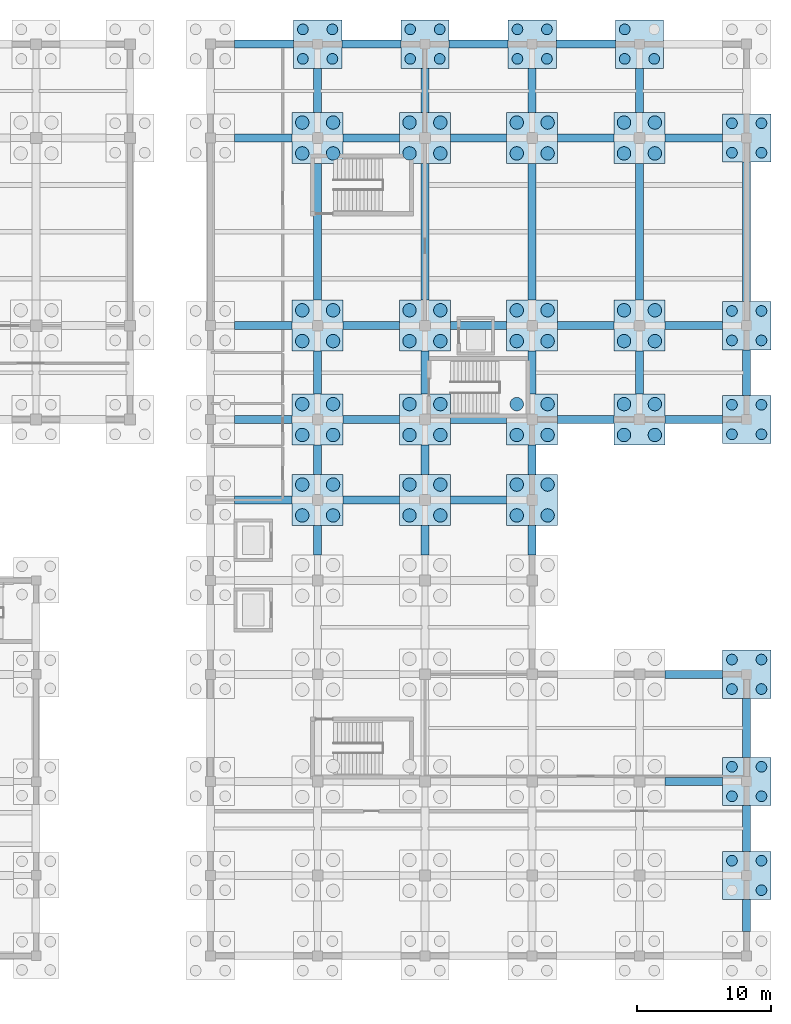
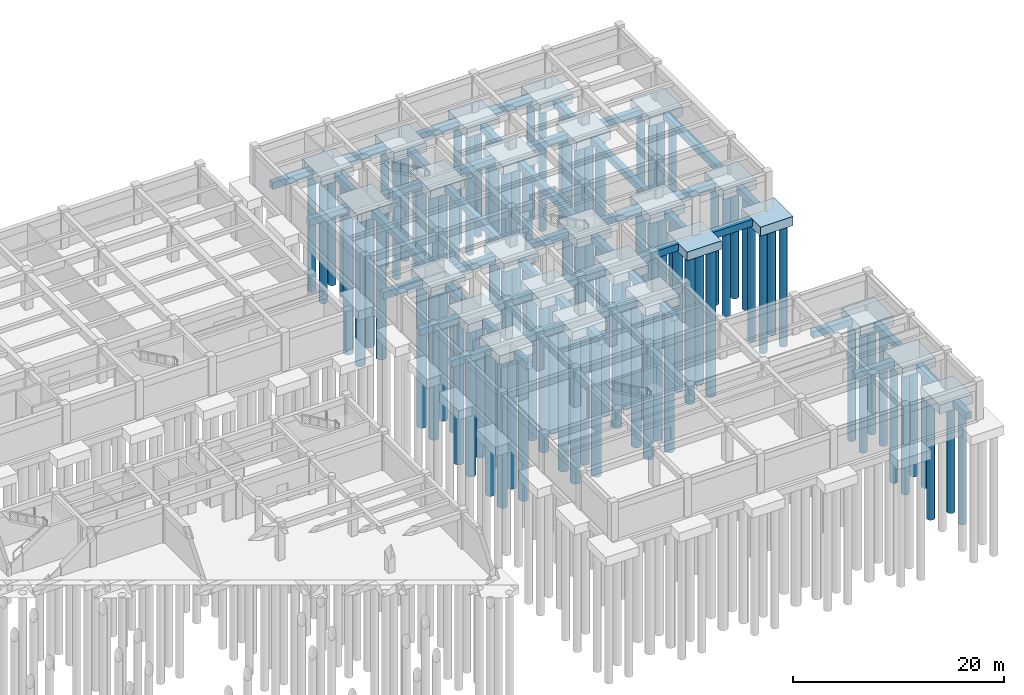
# One storey, part 7 of 28: 98 piles, 72 footings.
"""IFC4 building model written with IfcOpenShell, lengths in metres."""

from ifc_helpers import new_model, si_unit, direction, frame, origin, origin_2d, place, context, subcontext, project, spatial, rectangle, circle, extrude, material, material_profile, profile_set, type_object, element, save


model = new_model("IFC4")

# Units and contexts
model_context = context("Model", 3, precision=1e-05, world=origin(), true_north=direction((0.0, 1.0)))
body_context = subcontext(model_context, "Body", "Model", "MODEL_VIEW")
ifc_project = project(units=[si_unit("LENGTHUNIT", "METRE"), si_unit("AREAUNIT", "SQUARE_METRE"), si_unit("VOLUMEUNIT", "CUBIC_METRE"), si_unit("PLANEANGLEUNIT", "RADIAN"), si_unit("MASSUNIT", "GRAM", prefix="KILO")], contexts=[model_context])

# Site, building, storey
site_placement = place(None, origin())
site = spatial("IfcSite", under=ifc_project, at=site_placement, CompositionType="ELEMENT")
building_placement = place(site_placement, origin())
building = spatial("IfcBuilding", under=site, at=building_placement, Name="Naurynzar Civic Courthouse", CompositionType="ELEMENT")
storey_placement = place(building_placement, frame((0.0, 0.0, -4.5)))
storey = spatial("IfcBuildingStorey", under=building, at=storey_placement, Name="B01", CompositionType="ELEMENT", Elevation=-4.5)

# Footings
ifc_material_1 = material(Name="Concrete C35/45", Category="concrete")
footing_type_1 = type_object("IfcFootingType", Name="CAP-4B-3800", PredefinedType="PILE_CAP", material=ifc_material_1)
for number, where, z_axis, x_axis, name in (
    (1, (138.0, 38.0, -1.449951171875), (0.0, 0.0, 1.0), (1.0, 0.0, 0.0), "V5 pile cap 16"),
    (2, (138.0, 44.0, -1.449951171875), (0.0, 0.0, 1.0), (1.0, 0.0, 0.0), "V5 pile cap 17"),
    (3, (138.0, 51.0, -1.449951171875), (0.0, 0.0, 1.0), (1.0, 0.0, 0.0), "V5 pile cap 18"),
    (4, (138.0, 65.0, -1.449951171875), (0.0, 0.0, 1.0), (1.0, 0.0, 0.0), "V5 pile cap 19"),
    (5, (146.0, 38.0, -1.449951171875), (0.0, 0.0, 1.0), (1.0, 0.0, 0.0), "V5 pile cap 26"),
    (6, (146.0, 44.0, -1.449951171875), (0.0, 0.0, 1.0), (1.0, 0.0, 0.0), "V5 pile cap 27"),
    (7, (146.0, 51.0, -1.449951171875), (0.0, 0.0, 1.0), (1.0, 0.0, 0.0), "V5 pile cap 28"),
    (8, (146.0, 65.0, -1.449951171875), (0.0, 0.0, 1.0), (1.0, 0.0, 0.0), "V5 pile cap 29"),
    (9, (154.0, 38.0, -1.449951171875), (0.0, 0.0, 1.0), (1.0, 0.0, 0.0), "V5 pile cap 36"),
    (10, (154.0, 44.0, -1.449951171875), (0.0, 0.0, 1.0), (1.0, 0.0, 0.0), "V5 pile cap 37"),
    (11, (154.0, 51.0, -1.449951171875), (0.0, 0.0, 1.0), (1.0, 0.0, 0.0), "V5 pile cap 38"),
    (12, (154.0, 65.0, -1.449951171875), (0.0, 0.0, 1.0), (1.0, 0.0, 0.0), "V5 pile cap 39"),
    (13, (162.0, 44.0, -1.449951171875), (0.0, 0.0, 1.0), (1.0, 0.0, 0.0), "V5 pile cap 45"),
    (14, (162.0, 51.0, -1.449951171875), (0.0, 0.0, 1.0), (1.0, 0.0, 0.0), "V5 pile cap 46"),
    (15, (162.0, 65.0, -1.449951171875), (0.0, 0.0, 1.0), (1.0, 0.0, 0.0), "V5 pile cap 47"),
):
    element("IfcFooting", number, at=place(storey_placement, frame(where, z_axis=z_axis, x_axis=x_axis)), inside=storey, type_object=footing_type_1, Name=name, PredefinedType="PILE_CAP", context=body_context, shape_type="SweptSolid", body=[
        extrude(rectangle(XDim=3.800048828125, YDim=3.800048828125, at=origin_2d()), origin(), (0.0, 0.0, 1.0), 1.0),
    ])
ifc_material_2 = material(Name="Concrete C35/45", Category="concrete")
footing_type_2 = type_object("IfcFootingType", Name="CAP-4C-3600", PredefinedType="PILE_CAP", material=ifc_material_2)
for number, where, z_axis, x_axis, name in (
    (16, (138.0, 72.0, -1.5), (0.0, 0.0, 1.0), (1.0, 0.0, 0.0), "V5 pile cap 20"),
    (17, (146.0, 72.0, -1.5), (0.0, 0.0, 1.0), (1.0, 0.0, 0.0), "V5 pile cap 30"),
    (18, (154.0, 72.0, -1.5), (0.0, 0.0, 1.0), (1.0, 0.0, 0.0), "V5 pile cap 40"),
    (19, (162.0, 72.0, -1.5), (0.0, 0.0, 1.0), (1.0, 0.0, 0.0), "V5 pile cap 48"),
    (20, (170.0, 10.0, -1.5), (0.0, 0.0, 1.0), (1.0, 0.0, 0.0), "V5 pile cap 50"),
    (21, (170.0, 17.0, -1.5), (0.0, 0.0, 1.0), (1.0, 0.0, 0.0), "V5 pile cap 51"),
    (22, (170.0, 25.0, -1.5), (0.0, 0.0, 1.0), (1.0, 0.0, 0.0), "V5 pile cap 52"),
    (23, (170.0, 44.0, -1.5), (0.0, 0.0, 1.0), (1.0, 0.0, 0.0), "V5 pile cap 53"),
    (24, (170.0, 51.0, -1.5), (0.0, 0.0, 1.0), (1.0, 0.0, 0.0), "V5 pile cap 54"),
    (25, (170.0, 65.0, -1.5), (0.0, 0.0, 1.0), (1.0, 0.0, 0.0), "V5 pile cap 55"),
):
    element("IfcFooting", number, at=place(storey_placement, frame(where, z_axis=z_axis, x_axis=x_axis)), inside=storey, type_object=footing_type_2, Name=name, PredefinedType="PILE_CAP", context=body_context, shape_type="SweptSolid", body=[
        extrude(rectangle(XDim=3.60009765625, YDim=3.60009765625, at=origin_2d()), origin(), (0.0, 0.0, 1.0), 1.050048828125),
    ])
ifc_material_3 = material(Name="Concrete C35/45", Category="concrete")
ifc_material_profile_1 = material_profile(ifc_material_3, rectangle(XDim=0.60009765625, YDim=0.800048828125, at=origin_2d()), Name="GB 600x800")
ifc_profile_set_1 = profile_set([ifc_material_profile_1], Name="Concrete C35/45")
footing_type_3 = type_object("IfcFootingType", Name="GB-600x800", PredefinedType="FOOTING_BEAM", material=ifc_profile_set_1)
for number, where, z_axis, x_axis, name in (
    (26, (163.89990234375, 17.0, -0.85009765625), (1.0, 0.0, 0.0), (0.0, 1.0, 0.0), "V5 ground tie beam X-15"),
    (27, (163.89990234375, 25.0, -0.85009765625), (1.0, 0.0, 0.0), (0.0, 1.0, 0.0), "V5 ground tie beam X-20"),
    (28, (131.800048828125, 38.0, -0.85009765625), (1.0, 0.0, 0.0), (0.0, 1.0, 0.0), "V5 ground tie beam X-24"),
):
    element("IfcFooting", number, at=place(storey_placement, frame(where, z_axis=z_axis, x_axis=x_axis)), inside=storey, type_object=footing_type_3, Name=name, PredefinedType="FOOTING_BEAM", context=body_context, shape_type="SweptSolid", body=[
        extrude(rectangle(XDim=0.60009765625, YDim=0.800048828125, at=origin_2d()), origin(), (0.0, 0.0, 1.0), 4.300048828125),
    ])
for number, where, z_axis, x_axis, name in (
    (29, (139.89990234375, 38.0, -0.85009765625), (1.0, 0.0, 0.0), (0.0, 1.0, 0.0), "V5 ground tie beam X-25"),
    (30, (147.89990234375, 38.0, -0.85009765625), (1.0, 0.0, 0.0), (0.0, 1.0, 0.0), "V5 ground tie beam X-26"),
):
    element("IfcFooting", number, at=place(storey_placement, frame(where, z_axis=z_axis, x_axis=x_axis)), inside=storey, type_object=footing_type_3, Name=name, PredefinedType="FOOTING_BEAM", context=body_context, shape_type="SweptSolid", body=[
        extrude(rectangle(XDim=0.60009765625, YDim=0.800048828125, at=origin_2d()), origin(), (0.0, 0.0, 1.0), 4.2001953125),
    ])
footing_1_placement = place(storey_placement, frame((131.800048828125, 44.0, -0.85009765625), z_axis=(1.0, 0.0, 0.0), x_axis=(0.0, 1.0, 0.0)))
element("IfcFooting", 31, at=footing_1_placement, inside=storey, type_object=footing_type_3, Name="V5 ground tie beam X-27", PredefinedType="FOOTING_BEAM", context=body_context, shape_type="SweptSolid", body=[
    extrude(rectangle(XDim=0.60009765625, YDim=0.800048828125, at=origin_2d()), origin(), (0.0, 0.0, 1.0), 4.300048828125),
])
for number, where, z_axis, x_axis, name in (
    (32, (139.89990234375, 44.0, -0.85009765625), (1.0, 0.0, 0.0), (0.0, 1.0, 0.0), "V5 ground tie beam X-28"),
    (33, (147.89990234375, 44.0, -0.85009765625), (1.0, 0.0, 0.0), (0.0, 1.0, 0.0), "V5 ground tie beam X-29"),
    (34, (155.89990234375, 44.0, -0.85009765625), (1.0, 0.0, 0.0), (0.0, 1.0, 0.0), "V5 ground tie beam X-30"),
):
    element("IfcFooting", number, at=place(storey_placement, frame(where, z_axis=z_axis, x_axis=x_axis)), inside=storey, type_object=footing_type_3, Name=name, PredefinedType="FOOTING_BEAM", context=body_context, shape_type="SweptSolid", body=[
        extrude(rectangle(XDim=0.60009765625, YDim=0.800048828125, at=origin_2d()), origin(), (0.0, 0.0, 1.0), 4.2001953125),
    ])
for number, where, z_axis, x_axis, name in (
    (35, (163.89990234375, 44.0, -0.85009765625), (1.0, 0.0, 0.0), (0.0, 1.0, 0.0), "V5 ground tie beam X-31"),
    (36, (131.800048828125, 51.0, -0.85009765625), (1.0, 0.0, 0.0), (0.0, 1.0, 0.0), "V5 ground tie beam X-32"),
):
    element("IfcFooting", number, at=place(storey_placement, frame(where, z_axis=z_axis, x_axis=x_axis)), inside=storey, type_object=footing_type_3, Name=name, PredefinedType="FOOTING_BEAM", context=body_context, shape_type="SweptSolid", body=[
        extrude(rectangle(XDim=0.60009765625, YDim=0.800048828125, at=origin_2d()), origin(), (0.0, 0.0, 1.0), 4.300048828125),
    ])
for number, where, z_axis, x_axis, name in (
    (37, (139.89990234375, 51.0, -0.85009765625), (1.0, 0.0, 0.0), (0.0, 1.0, 0.0), "V5 ground tie beam X-33"),
    (38, (147.89990234375, 51.0, -0.85009765625), (1.0, 0.0, 0.0), (0.0, 1.0, 0.0), "V5 ground tie beam X-34"),
    (39, (155.89990234375, 51.0, -0.85009765625), (1.0, 0.0, 0.0), (0.0, 1.0, 0.0), "V5 ground tie beam X-35"),
):
    element("IfcFooting", number, at=place(storey_placement, frame(where, z_axis=z_axis, x_axis=x_axis)), inside=storey, type_object=footing_type_3, Name=name, PredefinedType="FOOTING_BEAM", context=body_context, shape_type="SweptSolid", body=[
        extrude(rectangle(XDim=0.60009765625, YDim=0.800048828125, at=origin_2d()), origin(), (0.0, 0.0, 1.0), 4.2001953125),
    ])
for number, where, z_axis, x_axis, name in (
    (40, (163.89990234375, 51.0, -0.85009765625), (1.0, 0.0, 0.0), (0.0, 1.0, 0.0), "V5 ground tie beam X-36"),
    (41, (131.800048828125, 65.0, -0.85009765625), (1.0, 0.0, 0.0), (0.0, 1.0, 0.0), "V5 ground tie beam X-37"),
):
    element("IfcFooting", number, at=place(storey_placement, frame(where, z_axis=z_axis, x_axis=x_axis)), inside=storey, type_object=footing_type_3, Name=name, PredefinedType="FOOTING_BEAM", context=body_context, shape_type="SweptSolid", body=[
        extrude(rectangle(XDim=0.60009765625, YDim=0.800048828125, at=origin_2d()), origin(), (0.0, 0.0, 1.0), 4.300048828125),
    ])
for number, where, z_axis, x_axis, name in (
    (42, (139.89990234375, 65.0, -0.85009765625), (1.0, 0.0, 0.0), (0.0, 1.0, 0.0), "V5 ground tie beam X-38"),
    (43, (147.89990234375, 65.0, -0.85009765625), (1.0, 0.0, 0.0), (0.0, 1.0, 0.0), "V5 ground tie beam X-39"),
    (44, (155.89990234375, 65.0, -0.85009765625), (1.0, 0.0, 0.0), (0.0, 1.0, 0.0), "V5 ground tie beam X-40"),
):
    element("IfcFooting", number, at=place(storey_placement, frame(where, z_axis=z_axis, x_axis=x_axis)), inside=storey, type_object=footing_type_3, Name=name, PredefinedType="FOOTING_BEAM", context=body_context, shape_type="SweptSolid", body=[
        extrude(rectangle(XDim=0.60009765625, YDim=0.800048828125, at=origin_2d()), origin(), (0.0, 0.0, 1.0), 4.2001953125),
    ])
footing_2_placement = place(storey_placement, frame((163.89990234375, 65.0, -0.85009765625), z_axis=(1.0, 0.0, 0.0), x_axis=(0.0, 1.0, 0.0)))
element("IfcFooting", 45, at=footing_2_placement, inside=storey, type_object=footing_type_3, Name="V5 ground tie beam X-41", PredefinedType="FOOTING_BEAM", context=body_context, shape_type="SweptSolid", body=[
    extrude(rectangle(XDim=0.60009765625, YDim=0.800048828125, at=origin_2d()), origin(), (0.0, 0.0, 1.0), 4.300048828125),
])
for number, where, z_axis, x_axis, name in (
    (46, (131.800048828125, 72.0, -0.85009765625), (1.0, 0.0, 0.0), (0.0, 1.0, 0.0), "V5 ground tie beam X-42"),
    (47, (139.800048828125, 72.0, -0.85009765625), (1.0, 0.0, 0.0), (0.0, 1.0, 0.0), "V5 ground tie beam X-43"),
    (48, (147.800048828125, 72.0, -0.85009765625), (1.0, 0.0, 0.0), (0.0, 1.0, 0.0), "V5 ground tie beam X-44"),
    (49, (155.800048828125, 72.0, -0.85009765625), (1.0, 0.0, 0.0), (0.0, 1.0, 0.0), "V5 ground tie beam X-45"),
):
    element("IfcFooting", number, at=place(storey_placement, frame(where, z_axis=z_axis, x_axis=x_axis)), inside=storey, type_object=footing_type_3, Name=name, PredefinedType="FOOTING_BEAM", context=body_context, shape_type="SweptSolid", body=[
        extrude(rectangle(XDim=0.60009765625, YDim=0.800048828125, at=origin_2d()), origin(), (0.0, 0.0, 1.0), 4.39990234375),
    ])
for number, where, z_axis, x_axis, name in (
    (50, (138.0, 33.89990234375, -0.85009765625), (0.0, 1.0, 0.0), (-1.0, 0.0, 0.0), "V5 ground tie beam Y-60"),
    (51, (138.0, 39.89990234375, -0.85009765625), (0.0, 1.0, 0.0), (-1.0, 0.0, 0.0), "V5 ground tie beam Y-61"),
):
    element("IfcFooting", number, at=place(storey_placement, frame(where, z_axis=z_axis, x_axis=x_axis)), inside=storey, type_object=footing_type_3, Name=name, PredefinedType="FOOTING_BEAM", context=body_context, shape_type="SweptSolid", body=[
        extrude(rectangle(XDim=0.60009765625, YDim=0.800048828125, at=origin_2d()), origin(), (0.0, 0.0, 1.0), 2.2001953125),
    ])
footing_3_placement = place(storey_placement, frame((138.0, 45.89990234375, -0.85009765625), z_axis=(0.0, 1.0, 0.0), x_axis=(-1.0, 0.0, 0.0)))
element("IfcFooting", 52, at=footing_3_placement, inside=storey, type_object=footing_type_3, Name="V5 ground tie beam Y-62", PredefinedType="FOOTING_BEAM", context=body_context, shape_type="SweptSolid", body=[
    extrude(rectangle(XDim=0.60009765625, YDim=0.800048828125, at=origin_2d()), origin(), (0.0, 0.0, 1.0), 3.2001953125),
])
footing_4_placement = place(storey_placement, frame((138.0, 52.89990234375, -0.85009765625), z_axis=(0.0, 1.0, 0.0), x_axis=(-1.0, 0.0, 0.0)))
element("IfcFooting", 53, at=footing_4_placement, inside=storey, type_object=footing_type_3, Name="V5 ground tie beam Y-63", PredefinedType="FOOTING_BEAM", context=body_context, shape_type="SweptSolid", body=[
    extrude(rectangle(XDim=0.60009765625, YDim=0.800048828125, at=origin_2d()), origin(), (0.0, 0.0, 1.0), 10.2001953125),
])
footing_5_placement = place(storey_placement, frame((138.0, 66.89990234375, -0.85009765625), z_axis=(0.0, 1.0, 0.0), x_axis=(-1.0, 0.0, 0.0)))
element("IfcFooting", 54, at=footing_5_placement, inside=storey, type_object=footing_type_3, Name="V5 ground tie beam Y-64", PredefinedType="FOOTING_BEAM", context=body_context, shape_type="SweptSolid", body=[
    extrude(rectangle(XDim=0.60009765625, YDim=0.800048828125, at=origin_2d()), origin(), (0.0, 0.0, 1.0), 3.300048828125),
])
for number, where, z_axis, x_axis, name in (
    (55, (146.0, 33.89990234375, -0.85009765625), (0.0, 1.0, 0.0), (-1.0, 0.0, 0.0), "V5 ground tie beam Y-69"),
    (56, (146.0, 39.89990234375, -0.85009765625), (0.0, 1.0, 0.0), (-1.0, 0.0, 0.0), "V5 ground tie beam Y-70"),
):
    element("IfcFooting", number, at=place(storey_placement, frame(where, z_axis=z_axis, x_axis=x_axis)), inside=storey, type_object=footing_type_3, Name=name, PredefinedType="FOOTING_BEAM", context=body_context, shape_type="SweptSolid", body=[
        extrude(rectangle(XDim=0.60009765625, YDim=0.800048828125, at=origin_2d()), origin(), (0.0, 0.0, 1.0), 2.2001953125),
    ])
footing_6_placement = place(storey_placement, frame((146.0, 45.89990234375, -0.85009765625), z_axis=(0.0, 1.0, 0.0), x_axis=(-1.0, 0.0, 0.0)))
element("IfcFooting", 57, at=footing_6_placement, inside=storey, type_object=footing_type_3, Name="V5 ground tie beam Y-71", PredefinedType="FOOTING_BEAM", context=body_context, shape_type="SweptSolid", body=[
    extrude(rectangle(XDim=0.60009765625, YDim=0.800048828125, at=origin_2d()), origin(), (0.0, 0.0, 1.0), 3.2001953125),
])
footing_7_placement = place(storey_placement, frame((146.0, 52.89990234375, -0.85009765625), z_axis=(0.0, 1.0, 0.0), x_axis=(-1.0, 0.0, 0.0)))
element("IfcFooting", 58, at=footing_7_placement, inside=storey, type_object=footing_type_3, Name="V5 ground tie beam Y-72", PredefinedType="FOOTING_BEAM", context=body_context, shape_type="SweptSolid", body=[
    extrude(rectangle(XDim=0.60009765625, YDim=0.800048828125, at=origin_2d()), origin(), (0.0, 0.0, 1.0), 10.2001953125),
])
footing_8_placement = place(storey_placement, frame((146.0, 66.89990234375, -0.85009765625), z_axis=(0.0, 1.0, 0.0), x_axis=(-1.0, 0.0, 0.0)))
element("IfcFooting", 59, at=footing_8_placement, inside=storey, type_object=footing_type_3, Name="V5 ground tie beam Y-73", PredefinedType="FOOTING_BEAM", context=body_context, shape_type="SweptSolid", body=[
    extrude(rectangle(XDim=0.60009765625, YDim=0.800048828125, at=origin_2d()), origin(), (0.0, 0.0, 1.0), 3.300048828125),
])
for number, where, z_axis, x_axis, name in (
    (60, (154.0, 33.89990234375, -0.85009765625), (0.0, 1.0, 0.0), (-1.0, 0.0, 0.0), "V5 ground tie beam Y-78"),
    (61, (154.0, 39.89990234375, -0.85009765625), (0.0, 1.0, 0.0), (-1.0, 0.0, 0.0), "V5 ground tie beam Y-79"),
):
    element("IfcFooting", number, at=place(storey_placement, frame(where, z_axis=z_axis, x_axis=x_axis)), inside=storey, type_object=footing_type_3, Name=name, PredefinedType="FOOTING_BEAM", context=body_context, shape_type="SweptSolid", body=[
        extrude(rectangle(XDim=0.60009765625, YDim=0.800048828125, at=origin_2d()), origin(), (0.0, 0.0, 1.0), 2.2001953125),
    ])
footing_9_placement = place(storey_placement, frame((154.0, 45.89990234375, -0.85009765625), z_axis=(0.0, 1.0, 0.0), x_axis=(-1.0, 0.0, 0.0)))
element("IfcFooting", 62, at=footing_9_placement, inside=storey, type_object=footing_type_3, Name="V5 ground tie beam Y-80", PredefinedType="FOOTING_BEAM", context=body_context, shape_type="SweptSolid", body=[
    extrude(rectangle(XDim=0.60009765625, YDim=0.800048828125, at=origin_2d()), origin(), (0.0, 0.0, 1.0), 3.2001953125),
])
footing_10_placement = place(storey_placement, frame((154.0, 52.89990234375, -0.85009765625), z_axis=(0.0, 1.0, 0.0), x_axis=(-1.0, 0.0, 0.0)))
element("IfcFooting", 63, at=footing_10_placement, inside=storey, type_object=footing_type_3, Name="V5 ground tie beam Y-81", PredefinedType="FOOTING_BEAM", context=body_context, shape_type="SweptSolid", body=[
    extrude(rectangle(XDim=0.60009765625, YDim=0.800048828125, at=origin_2d()), origin(), (0.0, 0.0, 1.0), 10.2001953125),
])
footing_11_placement = place(storey_placement, frame((154.0, 66.89990234375, -0.85009765625), z_axis=(0.0, 1.0, 0.0), x_axis=(-1.0, 0.0, 0.0)))
element("IfcFooting", 64, at=footing_11_placement, inside=storey, type_object=footing_type_3, Name="V5 ground tie beam Y-82", PredefinedType="FOOTING_BEAM", context=body_context, shape_type="SweptSolid", body=[
    extrude(rectangle(XDim=0.60009765625, YDim=0.800048828125, at=origin_2d()), origin(), (0.0, 0.0, 1.0), 3.300048828125),
])
footing_12_placement = place(storey_placement, frame((162.0, 45.89990234375, -0.85009765625), z_axis=(0.0, 1.0, 0.0), x_axis=(-1.0, 0.0, 0.0)))
element("IfcFooting", 65, at=footing_12_placement, inside=storey, type_object=footing_type_3, Name="V5 ground tie beam Y-86", PredefinedType="FOOTING_BEAM", context=body_context, shape_type="SweptSolid", body=[
    extrude(rectangle(XDim=0.60009765625, YDim=0.800048828125, at=origin_2d()), origin(), (0.0, 0.0, 1.0), 3.2001953125),
])
footing_13_placement = place(storey_placement, frame((162.0, 52.89990234375, -0.85009765625), z_axis=(0.0, 1.0, 0.0), x_axis=(-1.0, 0.0, 0.0)))
element("IfcFooting", 66, at=footing_13_placement, inside=storey, type_object=footing_type_3, Name="V5 ground tie beam Y-87", PredefinedType="FOOTING_BEAM", context=body_context, shape_type="SweptSolid", body=[
    extrude(rectangle(XDim=0.60009765625, YDim=0.800048828125, at=origin_2d()), origin(), (0.0, 0.0, 1.0), 10.2001953125),
])
footing_14_placement = place(storey_placement, frame((162.0, 66.89990234375, -0.85009765625), z_axis=(0.0, 1.0, 0.0), x_axis=(-1.0, 0.0, 0.0)))
element("IfcFooting", 67, at=footing_14_placement, inside=storey, type_object=footing_type_3, Name="V5 ground tie beam Y-88", PredefinedType="FOOTING_BEAM", context=body_context, shape_type="SweptSolid", body=[
    extrude(rectangle(XDim=0.60009765625, YDim=0.800048828125, at=origin_2d()), origin(), (0.0, 0.0, 1.0), 3.300048828125),
])
footing_15_placement = place(storey_placement, frame((170.0, 5.800048828125, -0.85009765625), z_axis=(0.0, 1.0, 0.0), x_axis=(-1.0, 0.0, 0.0)))
element("IfcFooting", 68, at=footing_15_placement, inside=storey, type_object=footing_type_3, Name="V5 ground tie beam Y-89", PredefinedType="FOOTING_BEAM", context=body_context, shape_type="SweptSolid", body=[
    extrude(rectangle(XDim=0.60009765625, YDim=0.800048828125, at=origin_2d()), origin(), (0.0, 0.0, 1.0), 2.39990234375),
])
footing_16_placement = place(storey_placement, frame((170.0, 11.800048828125, -0.85009765625), z_axis=(0.0, 1.0, 0.0), x_axis=(-1.0, 0.0, 0.0)))
element("IfcFooting", 69, at=footing_16_placement, inside=storey, type_object=footing_type_3, Name="V5 ground tie beam Y-90", PredefinedType="FOOTING_BEAM", context=body_context, shape_type="SweptSolid", body=[
    extrude(rectangle(XDim=0.60009765625, YDim=0.800048828125, at=origin_2d()), origin(), (0.0, 0.0, 1.0), 3.39990234375),
])
footing_17_placement = place(storey_placement, frame((170.0, 18.800048828125, -0.85009765625), z_axis=(0.0, 1.0, 0.0), x_axis=(-1.0, 0.0, 0.0)))
element("IfcFooting", 70, at=footing_17_placement, inside=storey, type_object=footing_type_3, Name="V5 ground tie beam Y-91", PredefinedType="FOOTING_BEAM", context=body_context, shape_type="SweptSolid", body=[
    extrude(rectangle(XDim=0.60009765625, YDim=0.800048828125, at=origin_2d()), origin(), (0.0, 0.0, 1.0), 4.39990234375),
])
footing_18_placement = place(storey_placement, frame((170.0, 45.800048828125, -0.85009765625), z_axis=(0.0, 1.0, 0.0), x_axis=(-1.0, 0.0, 0.0)))
element("IfcFooting", 71, at=footing_18_placement, inside=storey, type_object=footing_type_3, Name="V5 ground tie beam Y-92", PredefinedType="FOOTING_BEAM", context=body_context, shape_type="SweptSolid", body=[
    extrude(rectangle(XDim=0.60009765625, YDim=0.800048828125, at=origin_2d()), origin(), (0.0, 0.0, 1.0), 3.39990234375),
])
footing_19_placement = place(storey_placement, frame((170.0, 52.800048828125, -0.85009765625), z_axis=(0.0, 1.0, 0.0), x_axis=(-1.0, 0.0, 0.0)))
element("IfcFooting", 72, at=footing_19_placement, inside=storey, type_object=footing_type_3, Name="V5 ground tie beam Y-93", PredefinedType="FOOTING_BEAM", context=body_context, shape_type="SweptSolid", body=[
    extrude(rectangle(XDim=0.60009765625, YDim=0.800048828125, at=origin_2d()), origin(), (0.0, 0.0, 1.0), 10.39990234375),
])

# Piles
ifc_material_4 = material(Name="Concrete C35/45", Category="concrete")
ifc_material_profile_2 = material_profile(ifc_material_4, circle(Radius=0.5, at=origin_2d()), Name="PILE D1000")
ifc_profile_set_2 = profile_set([ifc_material_profile_2], Name="Concrete C35/45")
pile_type_1 = type_object("IfcPileType", Name="PILE-BORED-D1000", PredefinedType="BORED", material=ifc_profile_set_2)
for number, where, z_axis, x_axis, name in (
    (73, (136.85009765625, 36.85009765625, -1.449951171875), (0.0, 0.0, -1.0), (1.0, 0.0, 0.0), "V5 bored pile 16.1"),
    (74, (139.14990234375, 36.85009765625, -1.449951171875), (0.0, 0.0, -1.0), (1.0, 0.0, 0.0), "V5 bored pile 16.2"),
    (75, (136.85009765625, 39.14990234375, -1.449951171875), (0.0, 0.0, -1.0), (1.0, 0.0, 0.0), "V5 bored pile 16.3"),
    (76, (139.14990234375, 39.14990234375, -1.449951171875), (0.0, 0.0, -1.0), (1.0, 0.0, 0.0), "V5 bored pile 16.4"),
    (77, (136.85009765625, 42.85009765625, -1.449951171875), (0.0, 0.0, -1.0), (1.0, 0.0, 0.0), "V5 bored pile 17.1"),
    (78, (139.14990234375, 42.85009765625, -1.449951171875), (0.0, 0.0, -1.0), (1.0, 0.0, 0.0), "V5 bored pile 17.2"),
    (79, (136.85009765625, 45.14990234375, -1.449951171875), (0.0, 0.0, -1.0), (1.0, 0.0, 0.0), "V5 bored pile 17.3"),
    (80, (139.14990234375, 45.14990234375, -1.449951171875), (0.0, 0.0, -1.0), (1.0, 0.0, 0.0), "V5 bored pile 17.4"),
    (81, (136.85009765625, 49.85009765625, -1.449951171875), (0.0, 0.0, -1.0), (1.0, 0.0, 0.0), "V5 bored pile 18.1"),
    (82, (139.14990234375, 49.85009765625, -1.449951171875), (0.0, 0.0, -1.0), (1.0, 0.0, 0.0), "V5 bored pile 18.2"),
    (83, (136.85009765625, 52.14990234375, -1.449951171875), (0.0, 0.0, -1.0), (1.0, 0.0, 0.0), "V5 bored pile 18.3"),
    (84, (139.14990234375, 52.14990234375, -1.449951171875), (0.0, 0.0, -1.0), (1.0, 0.0, 0.0), "V5 bored pile 18.4"),
    (85, (136.85009765625, 63.85009765625, -1.449951171875), (0.0, 0.0, -1.0), (1.0, 0.0, 0.0), "V5 bored pile 19.1"),
    (86, (139.14990234375, 63.85009765625, -1.449951171875), (0.0, 0.0, -1.0), (1.0, 0.0, 0.0), "V5 bored pile 19.2"),
    (87, (136.85009765625, 66.14990234375, -1.449951171875), (0.0, 0.0, -1.0), (1.0, 0.0, 0.0), "V5 bored pile 19.3"),
    (88, (139.14990234375, 66.14990234375, -1.449951171875), (0.0, 0.0, -1.0), (1.0, 0.0, 0.0), "V5 bored pile 19.4"),
    (89, (144.85009765625, 36.85009765625, -1.449951171875), (0.0, 0.0, -1.0), (1.0, 0.0, 0.0), "V5 bored pile 26.1"),
    (90, (147.14990234375, 36.85009765625, -1.449951171875), (0.0, 0.0, -1.0), (1.0, 0.0, 0.0), "V5 bored pile 26.2"),
    (91, (144.85009765625, 39.14990234375, -1.449951171875), (0.0, 0.0, -1.0), (1.0, 0.0, 0.0), "V5 bored pile 26.3"),
    (92, (147.14990234375, 39.14990234375, -1.449951171875), (0.0, 0.0, -1.0), (1.0, 0.0, 0.0), "V5 bored pile 26.4"),
    (93, (144.85009765625, 42.85009765625, -1.449951171875), (0.0, 0.0, -1.0), (1.0, 0.0, 0.0), "V5 bored pile 27.1"),
    (94, (147.14990234375, 42.85009765625, -1.449951171875), (0.0, 0.0, -1.0), (1.0, 0.0, 0.0), "V5 bored pile 27.2"),
    (95, (144.85009765625, 45.14990234375, -1.449951171875), (0.0, 0.0, -1.0), (1.0, 0.0, 0.0), "V5 bored pile 27.3"),
    (96, (147.14990234375, 45.14990234375, -1.449951171875), (0.0, 0.0, -1.0), (1.0, 0.0, 0.0), "V5 bored pile 27.4"),
    (97, (144.85009765625, 49.85009765625, -1.449951171875), (0.0, 0.0, -1.0), (1.0, 0.0, 0.0), "V5 bored pile 28.1"),
    (98, (147.14990234375, 49.85009765625, -1.449951171875), (0.0, 0.0, -1.0), (1.0, 0.0, 0.0), "V5 bored pile 28.2"),
    (99, (144.85009765625, 52.14990234375, -1.449951171875), (0.0, 0.0, -1.0), (1.0, 0.0, 0.0), "V5 bored pile 28.3"),
    (100, (147.14990234375, 52.14990234375, -1.449951171875), (0.0, 0.0, -1.0), (1.0, 0.0, 0.0), "V5 bored pile 28.4"),
    (101, (144.85009765625, 63.85009765625, -1.449951171875), (0.0, 0.0, -1.0), (1.0, 0.0, 0.0), "V5 bored pile 29.1"),
    (102, (147.14990234375, 63.85009765625, -1.449951171875), (0.0, 0.0, -1.0), (1.0, 0.0, 0.0), "V5 bored pile 29.2"),
    (103, (144.85009765625, 66.14990234375, -1.449951171875), (0.0, 0.0, -1.0), (1.0, 0.0, 0.0), "V5 bored pile 29.3"),
    (104, (147.14990234375, 66.14990234375, -1.449951171875), (0.0, 0.0, -1.0), (1.0, 0.0, 0.0), "V5 bored pile 29.4"),
    (105, (152.85009765625, 36.85009765625, -1.449951171875), (0.0, 0.0, -1.0), (1.0, 0.0, 0.0), "V5 bored pile 36.1"),
    (106, (155.14990234375, 36.85009765625, -1.449951171875), (0.0, 0.0, -1.0), (1.0, 0.0, 0.0), "V5 bored pile 36.2"),
    (107, (152.85009765625, 39.14990234375, -1.449951171875), (0.0, 0.0, -1.0), (1.0, 0.0, 0.0), "V5 bored pile 36.3"),
    (108, (155.14990234375, 39.14990234375, -1.449951171875), (0.0, 0.0, -1.0), (1.0, 0.0, 0.0), "V5 bored pile 36.4"),
    (109, (152.85009765625, 42.85009765625, -1.449951171875), (0.0, 0.0, -1.0), (1.0, 0.0, 0.0), "V5 bored pile 37.1"),
    (110, (155.14990234375, 42.85009765625, -1.449951171875), (0.0, 0.0, -1.0), (1.0, 0.0, 0.0), "V5 bored pile 37.2"),
    (111, (152.85009765625, 45.14990234375, -1.449951171875), (0.0, 0.0, -1.0), (1.0, 0.0, 0.0), "V5 bored pile 37.3"),
    (112, (155.14990234375, 45.14990234375, -1.449951171875), (0.0, 0.0, -1.0), (1.0, 0.0, 0.0), "V5 bored pile 37.4"),
    (113, (152.85009765625, 49.85009765625, -1.449951171875), (0.0, 0.0, -1.0), (1.0, 0.0, 0.0), "V5 bored pile 38.1"),
    (114, (155.14990234375, 49.85009765625, -1.449951171875), (0.0, 0.0, -1.0), (1.0, 0.0, 0.0), "V5 bored pile 38.2"),
    (115, (152.85009765625, 52.14990234375, -1.449951171875), (0.0, 0.0, -1.0), (1.0, 0.0, 0.0), "V5 bored pile 38.3"),
    (116, (155.14990234375, 52.14990234375, -1.449951171875), (0.0, 0.0, -1.0), (1.0, 0.0, 0.0), "V5 bored pile 38.4"),
    (117, (152.85009765625, 63.85009765625, -1.449951171875), (0.0, 0.0, -1.0), (1.0, 0.0, 0.0), "V5 bored pile 39.1"),
    (118, (155.14990234375, 63.85009765625, -1.449951171875), (0.0, 0.0, -1.0), (1.0, 0.0, 0.0), "V5 bored pile 39.2"),
    (119, (152.85009765625, 66.14990234375, -1.449951171875), (0.0, 0.0, -1.0), (1.0, 0.0, 0.0), "V5 bored pile 39.3"),
    (120, (155.14990234375, 66.14990234375, -1.449951171875), (0.0, 0.0, -1.0), (1.0, 0.0, 0.0), "V5 bored pile 39.4"),
    (121, (160.85009765625, 42.85009765625, -1.449951171875), (0.0, 0.0, -1.0), (1.0, 0.0, 0.0), "V5 bored pile 45.1"),
    (122, (163.14990234375, 42.85009765625, -1.449951171875), (0.0, 0.0, -1.0), (1.0, 0.0, 0.0), "V5 bored pile 45.2"),
    (123, (160.85009765625, 45.14990234375, -1.449951171875), (0.0, 0.0, -1.0), (1.0, 0.0, 0.0), "V5 bored pile 45.3"),
    (124, (163.14990234375, 45.14990234375, -1.449951171875), (0.0, 0.0, -1.0), (1.0, 0.0, 0.0), "V5 bored pile 45.4"),
    (125, (160.85009765625, 49.85009765625, -1.449951171875), (0.0, 0.0, -1.0), (1.0, 0.0, 0.0), "V5 bored pile 46.1"),
    (126, (163.14990234375, 49.85009765625, -1.449951171875), (0.0, 0.0, -1.0), (1.0, 0.0, 0.0), "V5 bored pile 46.2"),
    (127, (160.85009765625, 52.14990234375, -1.449951171875), (0.0, 0.0, -1.0), (1.0, 0.0, 0.0), "V5 bored pile 46.3"),
    (128, (163.14990234375, 52.14990234375, -1.449951171875), (0.0, 0.0, -1.0), (1.0, 0.0, 0.0), "V5 bored pile 46.4"),
    (129, (160.85009765625, 63.85009765625, -1.449951171875), (0.0, 0.0, -1.0), (1.0, 0.0, 0.0), "V5 bored pile 47.1"),
    (130, (163.14990234375, 63.85009765625, -1.449951171875), (0.0, 0.0, -1.0), (1.0, 0.0, 0.0), "V5 bored pile 47.2"),
    (131, (160.85009765625, 66.14990234375, -1.449951171875), (0.0, 0.0, -1.0), (1.0, 0.0, 0.0), "V5 bored pile 47.3"),
    (132, (163.14990234375, 66.14990234375, -1.449951171875), (0.0, 0.0, -1.0), (1.0, 0.0, 0.0), "V5 bored pile 47.4"),
):
    element("IfcPile", number, at=place(storey_placement, frame(where, z_axis=z_axis, x_axis=x_axis)), inside=storey, type_object=pile_type_1, Name=name, PredefinedType="BORED", context=body_context, shape_type="SweptSolid", body=[
        extrude(circle(Radius=0.5, at=origin_2d()), origin(), (0.0, 0.0, 1.0), 17.0),
    ])
ifc_material_5 = material(Name="Concrete C35/45", Category="concrete")
ifc_material_profile_3 = material_profile(ifc_material_5, circle(Radius=0.39990234375, at=origin_2d()), Name="PILE D800")
ifc_profile_set_3 = profile_set([ifc_material_profile_3], Name="Concrete C35/45")
pile_type_2 = type_object("IfcPileType", Name="PILE-BORED-D800", PredefinedType="BORED", material=ifc_profile_set_3)
for number, where, z_axis, x_axis, name in (
    (133, (136.89990234375, 70.89990234375, -1.5), (0.0, 0.0, -1.0), (1.0, 0.0, 0.0), "V5 bored pile 20.1"),
    (134, (139.10009765625, 70.89990234375, -1.5), (0.0, 0.0, -1.0), (1.0, 0.0, 0.0), "V5 bored pile 20.2"),
    (135, (136.89990234375, 73.10009765625, -1.5), (0.0, 0.0, -1.0), (1.0, 0.0, 0.0), "V5 bored pile 20.3"),
    (136, (139.10009765625, 73.10009765625, -1.5), (0.0, 0.0, -1.0), (1.0, 0.0, 0.0), "V5 bored pile 20.4"),
    (137, (144.89990234375, 70.89990234375, -1.5), (0.0, 0.0, -1.0), (1.0, 0.0, 0.0), "V5 bored pile 30.1"),
    (138, (147.10009765625, 70.89990234375, -1.5), (0.0, 0.0, -1.0), (1.0, 0.0, 0.0), "V5 bored pile 30.2"),
    (139, (144.89990234375, 73.10009765625, -1.5), (0.0, 0.0, -1.0), (1.0, 0.0, 0.0), "V5 bored pile 30.3"),
    (140, (147.10009765625, 73.10009765625, -1.5), (0.0, 0.0, -1.0), (1.0, 0.0, 0.0), "V5 bored pile 30.4"),
    (141, (152.89990234375, 70.89990234375, -1.5), (0.0, 0.0, -1.0), (1.0, 0.0, 0.0), "V5 bored pile 40.1"),
    (142, (155.10009765625, 70.89990234375, -1.5), (0.0, 0.0, -1.0), (1.0, 0.0, 0.0), "V5 bored pile 40.2"),
    (143, (152.89990234375, 73.10009765625, -1.5), (0.0, 0.0, -1.0), (1.0, 0.0, 0.0), "V5 bored pile 40.3"),
    (144, (155.10009765625, 73.10009765625, -1.5), (0.0, 0.0, -1.0), (1.0, 0.0, 0.0), "V5 bored pile 40.4"),
    (145, (160.89990234375, 70.89990234375, -1.5), (0.0, 0.0, -1.0), (1.0, 0.0, 0.0), "V5 bored pile 48.1"),
    (146, (163.10009765625, 70.89990234375, -1.5), (0.0, 0.0, -1.0), (1.0, 0.0, 0.0), "V5 bored pile 48.2"),
    (147, (160.89990234375, 73.10009765625, -1.5), (0.0, 0.0, -1.0), (1.0, 0.0, 0.0), "V5 bored pile 48.3"),
    (148, (171.10009765625, 8.89990234375, -1.5), (0.0, 0.0, -1.0), (1.0, 0.0, 0.0), "V5 bored pile 50.2"),
    (149, (168.89990234375, 11.10009765625, -1.5), (0.0, 0.0, -1.0), (1.0, 0.0, 0.0), "V5 bored pile 50.3"),
    (150, (171.10009765625, 11.10009765625, -1.5), (0.0, 0.0, -1.0), (1.0, 0.0, 0.0), "V5 bored pile 50.4"),
    (151, (168.89990234375, 15.89990234375, -1.5), (0.0, 0.0, -1.0), (1.0, 0.0, 0.0), "V5 bored pile 51.1"),
    (152, (171.10009765625, 15.89990234375, -1.5), (0.0, 0.0, -1.0), (1.0, 0.0, 0.0), "V5 bored pile 51.2"),
    (153, (168.89990234375, 18.10009765625, -1.5), (0.0, 0.0, -1.0), (1.0, 0.0, 0.0), "V5 bored pile 51.3"),
    (154, (171.10009765625, 18.10009765625, -1.5), (0.0, 0.0, -1.0), (1.0, 0.0, 0.0), "V5 bored pile 51.4"),
    (155, (168.89990234375, 23.89990234375, -1.5), (0.0, 0.0, -1.0), (1.0, 0.0, 0.0), "V5 bored pile 52.1"),
    (156, (171.10009765625, 23.89990234375, -1.5), (0.0, 0.0, -1.0), (1.0, 0.0, 0.0), "V5 bored pile 52.2"),
    (157, (168.89990234375, 26.10009765625, -1.5), (0.0, 0.0, -1.0), (1.0, 0.0, 0.0), "V5 bored pile 52.3"),
    (158, (171.10009765625, 26.10009765625, -1.5), (0.0, 0.0, -1.0), (1.0, 0.0, 0.0), "V5 bored pile 52.4"),
    (159, (168.89990234375, 42.89990234375, -1.5), (0.0, 0.0, -1.0), (1.0, 0.0, 0.0), "V5 bored pile 53.1"),
    (160, (171.10009765625, 42.89990234375, -1.5), (0.0, 0.0, -1.0), (1.0, 0.0, 0.0), "V5 bored pile 53.2"),
    (161, (168.89990234375, 45.10009765625, -1.5), (0.0, 0.0, -1.0), (1.0, 0.0, 0.0), "V5 bored pile 53.3"),
    (162, (171.10009765625, 45.10009765625, -1.5), (0.0, 0.0, -1.0), (1.0, 0.0, 0.0), "V5 bored pile 53.4"),
    (163, (168.89990234375, 49.89990234375, -1.5), (0.0, 0.0, -1.0), (1.0, 0.0, 0.0), "V5 bored pile 54.1"),
    (164, (171.10009765625, 49.89990234375, -1.5), (0.0, 0.0, -1.0), (1.0, 0.0, 0.0), "V5 bored pile 54.2"),
    (165, (168.89990234375, 52.10009765625, -1.5), (0.0, 0.0, -1.0), (1.0, 0.0, 0.0), "V5 bored pile 54.3"),
    (166, (171.10009765625, 52.10009765625, -1.5), (0.0, 0.0, -1.0), (1.0, 0.0, 0.0), "V5 bored pile 54.4"),
    (167, (168.89990234375, 63.89990234375, -1.5), (0.0, 0.0, -1.0), (1.0, 0.0, 0.0), "V5 bored pile 55.1"),
    (168, (171.10009765625, 63.89990234375, -1.5), (0.0, 0.0, -1.0), (1.0, 0.0, 0.0), "V5 bored pile 55.2"),
    (169, (168.89990234375, 66.10009765625, -1.5), (0.0, 0.0, -1.0), (1.0, 0.0, 0.0), "V5 bored pile 55.3"),
    (170, (171.10009765625, 66.10009765625, -1.5), (0.0, 0.0, -1.0), (1.0, 0.0, 0.0), "V5 bored pile 55.4"),
):
    element("IfcPile", number, at=place(storey_placement, frame(where, z_axis=z_axis, x_axis=x_axis)), inside=storey, type_object=pile_type_2, Name=name, PredefinedType="BORED", context=body_context, shape_type="SweptSolid", body=[
        extrude(circle(Radius=0.39990234375, at=origin_2d()), origin(), (0.0, 0.0, 1.0), 14.0),
    ])

save(model, "model.ifc")
